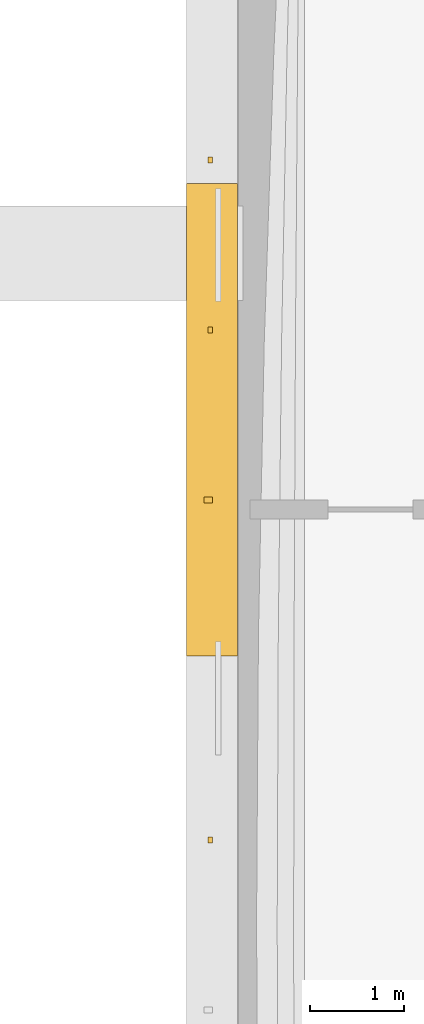
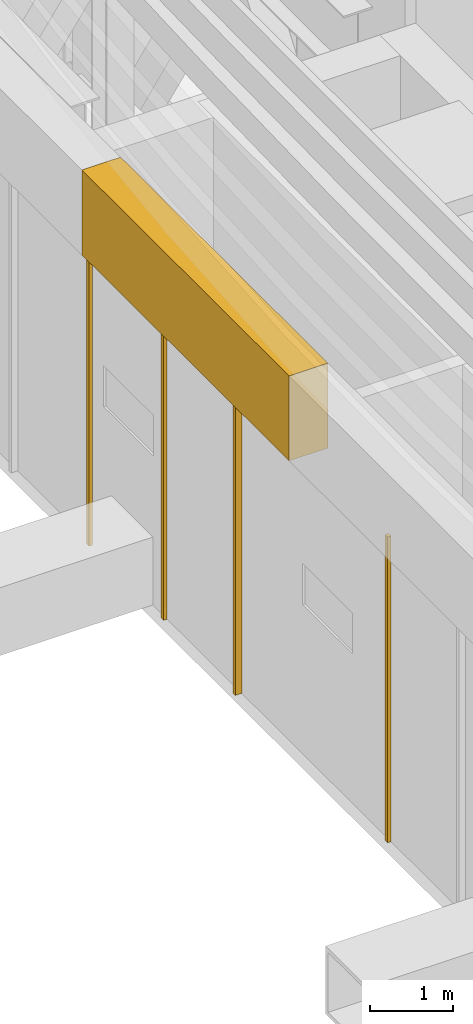
# One storey, part 21 of 29: 5 coverings.
"""IFC4 building model written with IfcOpenShell, lengths in metres."""

from ifc_helpers import new_model, si_unit, direction, frame, origin, origin_2d, place, context, subcontext, project, spatial, polyline, rectangle, outline, extrude, material, type_object, element, save


model = new_model("IFC4")

# Units and contexts
model_context = context("Model", 3, precision=1e-05, world=origin(), true_north=direction((0.0, 1.0)))
body_context = subcontext(model_context, "Body", "Model", "MODEL_VIEW")
ifc_project = project(units=[si_unit("LENGTHUNIT", "METRE"), si_unit("AREAUNIT", "SQUARE_METRE"), si_unit("VOLUMEUNIT", "CUBIC_METRE"), si_unit("PLANEANGLEUNIT", "RADIAN"), si_unit("MASSUNIT", "GRAM", prefix="KILO")], contexts=[model_context])

# Site, building, storey
site_placement = place(None, origin())
site = spatial("IfcSite", under=ifc_project, at=site_placement, CompositionType="ELEMENT")
building_placement = place(site_placement, origin())
building = spatial("IfcBuilding", under=site, at=building_placement, Name="Cobrizo Arcos Hotel Tower", CompositionType="ELEMENT")
storey_placement = place(building_placement, frame((0.0, 0.0, 186.5)))
storey = spatial("IfcBuildingStorey", under=building, at=storey_placement, Name="L48", CompositionType="ELEMENT", Elevation=186.5)

# Coverings
ifc_material = material(Name="Aluminium 6063-T6 anodised pale", Category="aluminium")
covering_type_1 = type_object("IfcCoveringType", Name="LF-1 setback skirt", PredefinedType="CLADDING", material=ifc_material)
covering_1_placement = place(storey_placement, frame((0.0, 0.0, 4.5)))
element("IfcCovering", 1, at=covering_1_placement, inside=storey, type_object=covering_type_1, Name="Setback skirt L48", PredefinedType="CLADDING", context=body_context, shape_type="SweptSolid", body=[
    extrude(outline(polyline([(-22.14990234375, 7.85009765625), (-22.14990234375, 2.85009765625), (-21.610107421875, 2.85009765625), (-21.610107421875, 7.85009765625), (-22.14990234375, 7.85009765625)])), origin(), (0.0, 0.0, 1.0), 1.25),
])
covering_type_2 = type_object("IfcCoveringType", Name="RS-1 rainscreen rib 60x90", PredefinedType="CLADDING", material=ifc_material)
covering_2_placement = place(storey_placement, frame((-21.919921875, 4.5, 0.0), z_axis=(0.0, 0.0, 1.0), x_axis=(0.0, -1.0, 0.0)))
element("IfcCovering", 2, at=covering_2_placement, inside=storey, type_object=covering_type_2, Name="Rainscreen rib 74", PredefinedType="CLADDING", context=body_context, shape_type="SweptSolid", body=[
    extrude(rectangle(XDim=0.06005859375, YDim=0.090087890625, at=origin_2d()), origin(), (0.0, 0.0, 1.0), 4.5),
])
covering_type_3 = type_object("IfcCoveringType", Name="RS-2 rainscreen rib 60x50", PredefinedType="CLADDING", material=ifc_material)
for number, where, z_axis, x_axis, name in (
    (3, (-21.89990234375, 8.10009765625, 0.0), (0.0, 0.0, 1.0), (0.0, -1.0, 0.0), "Rainscreen rib 72"),
    (4, (-21.89990234375, 6.300048828125, 0.0), (0.0, 0.0, 1.0), (0.0, -1.0, 0.0), "Rainscreen rib 73"),
    (5, (-21.89990234375, 0.89990234375, 0.0), (0.0, 0.0, 1.0), (0.0, -1.0, 0.0), "Rainscreen rib 75"),
):
    element("IfcCovering", number, at=place(storey_placement, frame(where, z_axis=z_axis, x_axis=x_axis)), inside=storey, type_object=covering_type_3, Name=name, PredefinedType="CLADDING", context=body_context, shape_type="SweptSolid", body=[
        extrude(rectangle(XDim=0.06005859375, YDim=0.050048828125, at=origin_2d()), origin(), (0.0, 0.0, 1.0), 4.5),
    ])

save(model, "model.ifc")
